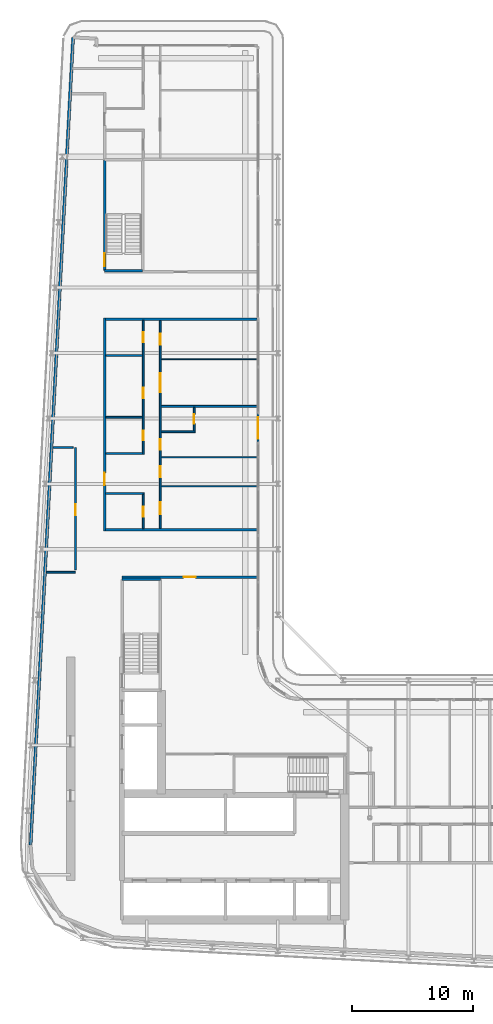
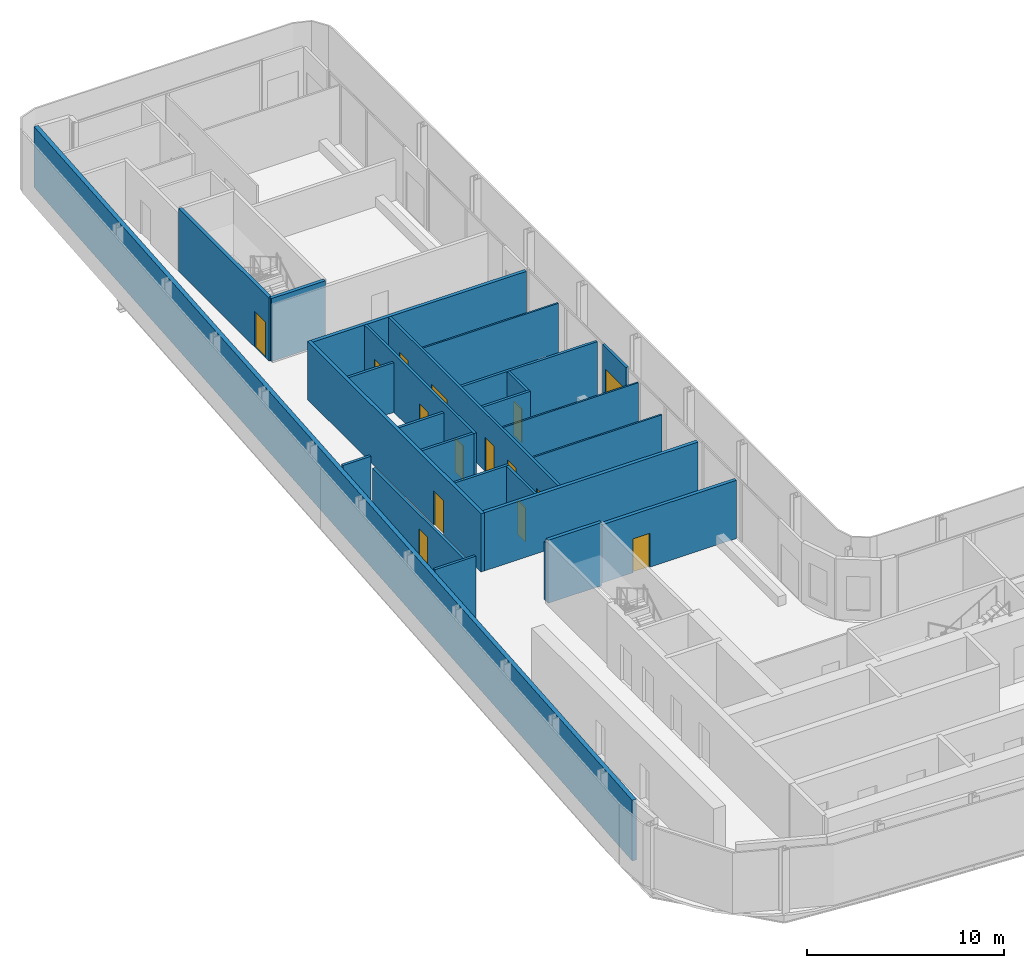
# One storey, part 13 of 22: 25 walls, 15 doors, 15 openings.
"""IFC4 building model written with IfcOpenShell, lengths in metres."""

from ifc_helpers import new_model, si_unit, direction, frame, frame_2d, origin, place, context, subcontext, project, spatial, rectangle, extrude, source, transform, mapped, material, layer, layer_set, type_object, element, fill, save


model = new_model("IFC4")

# Units and contexts
model_context = context("Model", 3, precision=1e-05, world=origin(), true_north=direction((0.0, 1.0)))
body_context = subcontext(model_context, "Body", "Model", "MODEL_VIEW")
ifc_project = project(units=[si_unit("LENGTHUNIT", "METRE"), si_unit("AREAUNIT", "SQUARE_METRE"), si_unit("VOLUMEUNIT", "CUBIC_METRE"), si_unit("PLANEANGLEUNIT", "RADIAN"), si_unit("MASSUNIT", "GRAM", prefix="KILO")], contexts=[model_context])

# Site, building, storey
site_placement = place(None, origin())
site = spatial("IfcSite", under=ifc_project, at=site_placement, CompositionType="ELEMENT")
building_placement = place(site_placement, origin())
building = spatial("IfcBuilding", under=site, at=building_placement, Name="Kheshtan School and Residences Tower", CompositionType="ELEMENT")
storey_placement = place(building_placement, frame((0.0, 0.0, 263.0)))
storey = spatial("IfcBuildingStorey", under=building, at=storey_placement, Name="L62", CompositionType="ELEMENT", Elevation=263.0)

# Wall, opening, door
ifc_material_1 = material(Name="Gypsum board on steel studs with fire boards", Category="steel")
ifc_layer_1 = layer(ifc_material_1, 0.199951171875)
ifc_layer_set_1 = layer_set([ifc_layer_1], Name="Corridor wall 200")
wall_type_1 = type_object("IfcWallType", Name="Corridor wall 200", PredefinedType="PARTITIONING", material=ifc_layer_set_1)
wall_1_placement = place(storey_placement, frame((33.300048828125, 57.89990234375, 0.0), z_axis=(0.0, 0.0, 1.0), x_axis=(0.0, 1.0, 0.0)))
wall_1 = element("IfcWall", 1, at=wall_1_placement, inside=storey, type_object=wall_type_1, Name="Partition L62-003", PredefinedType="PARTITIONING", context=body_context, shape_type="SweptSolid", body=[
    extrude(rectangle(XDim=17.60009765625, YDim=0.199951171875, at=frame_2d((8.800048828125, 0.0))), origin(), (0.0, 0.0, 1.0), 3.60009765625),
])
opening_1_placement = place(wall_1_placement, frame((3.800048828125, 0.0, 0.0)))
opening_1 = element("IfcOpeningElement", 2, at=opening_1_placement, cuts=wall_1, Name="Opening D61-029", PredefinedType="OPENING", context=body_context, shape_type="SweptSolid", body=[
    extrude(rectangle(XDim=1.0, YDim=2.10009765625, at=frame_2d((0.5, 1.050048828125))), frame((0.0, 0.10986328125, 0.0), z_axis=(0.0, -1.0, 0.0), x_axis=(1.0, 0.0, 0.0)), (0.0, 0.0, 1.0), 0.219970703125),
])
ifc_material_2 = material(Name="Steel-framed fire-resisting door leaf", Category="steel")
door_type_1 = type_object("IfcDoorType", Name="Fire door FD30S 1000 x 2100", OperationType="SINGLE_SWING_LEFT", PredefinedType="DOOR", material=ifc_material_2)
shared_shape_1 = source(origin(), body_context, "Body", "SweptSolid", [
    extrude(rectangle(XDim=1.0, YDim=2.10009765625, at=frame_2d((0.5, 1.050048828125))), frame((0.0, 0.02490234375, 0.0), z_axis=(0.0, -1.0, 0.0), x_axis=(1.0, 0.0, 0.0)), (0.0, 0.0, 1.0), 0.050048828125),
])
door_1_placement = place(opening_1_placement, origin())
door_1 = element("IfcDoor", 3, at=door_1_placement, inside=storey, type_object=door_type_1, Name="Door D61-029", OperationType="SINGLE_SWING_RIGHT", OverallHeight=2.10009765625, OverallWidth=1.0, PredefinedType="DOOR", context=body_context, shape_type="MappedRepresentation", body=[
    mapped(shared_shape_1, transform((0.0, 0.0, 0.0), x_axis=(1.0, 0.0, 0.0), y_axis=(0.0, 1.0, 0.0), z_axis=(0.0, 0.0, 1.0), scale=1.0)),
])
fill(opening_1, door_1)

# Walls
for number, where, z_axis, x_axis, name in (
    (4, (33.39990234375, 58.0, 0.0), (0.0, 0.0, 1.0), (1.0, 0.0, 0.0), "Partition L62-006"),
    (5, (33.39990234375, 75.39990234375, 0.0), (0.0, 0.0, 1.0), (1.0, 0.0, 0.0), "Partition L62-011"),
):
    element("IfcWall", number, at=place(storey_placement, frame(where, z_axis=z_axis, x_axis=x_axis)), inside=storey, type_object=wall_type_1, Name=name, PredefinedType="PARTITIONING", context=body_context, shape_type="SweptSolid", body=[
        extrude(rectangle(XDim=12.5, YDim=0.199951171875, at=frame_2d((6.25, 0.0))), origin(), (0.0, 0.0, 1.0), 3.60009765625),
    ])

# Wall, opening, door
wall_2_placement = place(storey_placement, frame((34.75, 54.10009765625, 0.0), z_axis=(0.0, 0.0, 1.0), x_axis=(1.0, 0.0, 0.0)))
wall_2 = element("IfcWall", 6, at=wall_2_placement, inside=storey, type_object=wall_type_1, Name="Partition L62-014", PredefinedType="PARTITIONING", context=body_context, shape_type="SweptSolid", body=[
    extrude(rectangle(XDim=11.14990234375, YDim=0.199951171875, at=frame_2d((5.574951171875, 0.0))), origin(), (0.0, 0.0, 1.0), 3.60009765625),
])
opening_2_placement = place(wall_2_placement, frame((5.074951171875, 0.0, 0.0)))
opening_2 = element("IfcOpeningElement", 7, at=opening_2_placement, cuts=wall_2, Name="Opening D61-043", PredefinedType="OPENING", context=body_context, shape_type="SweptSolid", body=[
    extrude(rectangle(XDim=1.0, YDim=2.10009765625, at=frame_2d((0.5, 1.050048828125))), frame((0.0, 0.10986328125, 0.0), z_axis=(0.0, -1.0, 0.0), x_axis=(1.0, 0.0, 0.0)), (0.0, 0.0, 1.0), 0.219970703125),
])
door_type_2 = type_object("IfcDoorType", Name="Fire door FD60 1000 x 2100", OperationType="SINGLE_SWING_LEFT", PredefinedType="DOOR", material=ifc_material_2)
shared_shape_2 = source(origin(), body_context, "Body", "SweptSolid", [
    extrude(rectangle(XDim=1.0, YDim=2.10009765625, at=frame_2d((0.5, 1.050048828125))), frame((0.0, 0.02490234375, 0.0), z_axis=(0.0, -1.0, 0.0), x_axis=(1.0, 0.0, 0.0)), (0.0, 0.0, 1.0), 0.050048828125),
])
door_2_placement = place(opening_2_placement, origin())
door_2 = element("IfcDoor", 8, at=door_2_placement, inside=storey, type_object=door_type_2, Name="Door D61-043", OperationType="SINGLE_SWING_RIGHT", OverallHeight=2.10009765625, OverallWidth=1.0, PredefinedType="DOOR", context=body_context, shape_type="MappedRepresentation", body=[
    mapped(shared_shape_2, transform((0.0, 0.0, 0.0), x_axis=(1.0, 0.0, 0.0), y_axis=(0.0, 1.0, 0.0), z_axis=(0.0, 0.0, 1.0), scale=1.0)),
])
fill(opening_2, door_2)

# Wall
ifc_material_3 = material(Name="Concrete C40/50 with ceramic cladding and mineral wool insulation", Category="concrete")
ifc_layer_2 = layer(ifc_material_3, 0.25)
ifc_layer_set_2 = layer_set([ifc_layer_2], Name="External wall 250 ceramic clad")
wall_type_2 = type_object("IfcWallType", Name="External wall 250 ceramic clad", PredefinedType="SOLIDWALL", material=ifc_layer_set_2)
wall_3_placement = place(storey_placement, frame((27.195068359375, 31.968994140625, 0.0), z_axis=(0.0, 0.0, 1.0), x_axis=(0.052554995867, 0.998618031286, 0.0)))
element("IfcWall", 9, at=wall_3_placement, inside=storey, type_object=wall_type_2, Name="External wall L62 4", PredefinedType="SOLIDWALL", context=body_context, shape_type="SweptSolid", body=[
    extrude(rectangle(XDim=66.787353515625, YDim=0.25, at=frame_2d((33.3935546875, 0.0))), origin(), (0.0, 0.0, 1.0), 3.75),
])

# Wall, opening, door
ifc_material_4 = material(Name="Aluminium frame wall with insulated infill", Category="aluminium")
ifc_layer_3 = layer(ifc_material_4, 0.14990234375)
ifc_layer_set_3 = layer_set([ifc_layer_3], Name="Glazing frame wall 150")
wall_type_3 = type_object("IfcWallType", Name="Glazing frame wall 150", PredefinedType="SOLIDWALL", material=ifc_layer_set_3)
wall_4_placement = place(storey_placement, frame((45.97509765625, 67.617919921875, 0.0), z_axis=(0.0, 0.0, 1.0), x_axis=(0.0, -1.0, 0.0)))
wall_4 = element("IfcWall", 10, at=wall_4_placement, inside=storey, type_object=wall_type_3, Name="Balcony door wall L62 8.4", PredefinedType="SOLIDWALL", context=body_context, shape_type="SweptSolid", body=[
    extrude(rectangle(XDim=2.39990234375, YDim=0.14990234375, at=frame_2d((1.199951171875, 0.0))), origin(), (0.0, 0.0, 1.0), 3.75),
])
opening_3_placement = place(wall_4_placement, frame((0.300048828125, 0.0, 0.0)))
opening_3 = element("IfcOpeningElement", 11, at=opening_3_placement, cuts=wall_4, Name="Opening BD", PredefinedType="OPENING", context=body_context, shape_type="SweptSolid", body=[
    extrude(rectangle(XDim=1.800048828125, YDim=2.39990234375, at=frame_2d((0.89990234375, 1.199951171875))), frame((0.0, 0.0849609375, 0.0), z_axis=(0.0, -1.0, 0.0), x_axis=(1.0, 0.0, 0.0)), (0.0, 0.0, 1.0), 0.169921875),
])
ifc_material_5 = material(Name="Clear low-e glass in thermally broken aluminium frame", Category="aluminium")
door_type_3 = type_object("IfcDoorType", Name="Balcony sliding door", OperationType="SLIDING_TO_LEFT", PredefinedType="DOOR", material=ifc_material_5)
shared_shape_3 = source(origin(), body_context, "Body", "SweptSolid", [
    extrude(rectangle(XDim=1.800048828125, YDim=2.39990234375, at=frame_2d((0.89990234375, 1.199951171875))), frame((0.0, 0.02490234375, 0.0), z_axis=(0.0, -1.0, 0.0), x_axis=(1.0, 0.0, 0.0)), (0.0, 0.0, 1.0), 0.050048828125),
])
door_3_placement = place(opening_3_placement, origin())
door_3 = element("IfcDoor", 12, at=door_3_placement, inside=storey, type_object=door_type_3, Name="Balcony door L62 8.4", OperationType="SLIDING_TO_LEFT", OverallHeight=2.39990234375, OverallWidth=1.800048828125, PredefinedType="DOOR", context=body_context, shape_type="MappedRepresentation", body=[
    mapped(shared_shape_3, transform((0.0, 0.0, 0.0), x_axis=(1.0, 0.0, 0.0), y_axis=(0.0, 1.0, 0.0), z_axis=(0.0, 0.0, 1.0), scale=1.0)),
])
fill(opening_3, door_3)

# Walls
ifc_material_6 = material(Name="Gypsum board on steel studs", Category="steel")
ifc_layer_4 = layer(ifc_material_6, 0.10009765625)
ifc_layer_set_4 = layer_set([ifc_layer_4], Name="Gypsum partition 100")
wall_type_4 = type_object("IfcWallType", Name="Gypsum partition 100", PredefinedType="PARTITIONING", material=ifc_layer_set_4)
wall_5_placement = place(storey_placement, frame((37.97509765625, 61.60009765625, 0.0), z_axis=(0.0, 0.0, 1.0), x_axis=(1.0, 0.0, 0.0)))
element("IfcWall", 13, at=wall_5_placement, inside=storey, type_object=wall_type_4, Name="Partition L62-023", PredefinedType="PARTITIONING", context=body_context, shape_type="SweptSolid", body=[
    extrude(rectangle(XDim=7.9248046875, YDim=0.10009765625, at=frame_2d((3.96240234375, 0.0))), origin(), (0.0, 0.0, 1.0), 3.072021484375),
])
for number, where, z_axis, x_axis, name in (
    (14, (37.97509765625, 64.0, 0.0), (0.0, 0.0, 1.0), (1.0, 0.0, 0.0), "Partition L62-024"),
    (15, (37.97509765625, 72.10009765625, 0.0), (0.0, 0.0, 1.0), (1.0, 0.0, 0.0), "Partition L62-027"),
):
    element("IfcWall", number, at=place(storey_placement, frame(where, z_axis=z_axis, x_axis=x_axis)), inside=storey, type_object=wall_type_4, Name=name, PredefinedType="PARTITIONING", context=body_context, shape_type="SweptSolid", body=[
        extrude(rectangle(XDim=7.9248046875, YDim=0.10009765625, at=frame_2d((3.96240234375, 0.0))), origin(), (0.0, 0.0, 1.0), 3.60009765625),
    ])
ifc_material_7 = material(Name="Fire-board shaft wall system")
ifc_layer_5 = layer(ifc_material_7, 0.14990234375)
ifc_layer_set_5 = layer_set([ifc_layer_5], Name="Service room wall 150")
wall_type_5 = type_object("IfcWallType", Name="Service room wall 150", PredefinedType="PARTITIONING", material=ifc_layer_set_5)
wall_6_placement = place(storey_placement, frame((28.508056640625, 54.5, 0.0), z_axis=(0.0, 0.0, 1.0), x_axis=(1.0, 0.0, 0.0)))
element("IfcWall", 16, at=wall_6_placement, inside=storey, type_object=wall_type_5, Name="Service room wall", PredefinedType="PARTITIONING", context=body_context, shape_type="SweptSolid", body=[
    extrude(rectangle(XDim=2.391845703125, YDim=0.14990234375, at=frame_2d((1.19580078125, 0.0))), origin(), (0.0, 0.0, 1.0), 3.89990234375),
])

# Wall, opening, door
wall_7_placement = place(storey_placement, frame((30.89990234375, 54.695068359375, 0.0), z_axis=(0.0, 0.0, 1.0), x_axis=(0.0, 1.0, 0.0)))
wall_7 = element("IfcWall", 17, at=wall_7_placement, inside=storey, type_object=wall_type_5, Name="Service room wall", PredefinedType="PARTITIONING", context=body_context, shape_type="SweptSolid", body=[
    extrude(rectangle(XDim=10.10498046875, YDim=0.14990234375, at=frame_2d((5.052490234375, 0.0))), origin(), (0.0, 0.0, 1.0), 3.072021484375),
])
opening_4_placement = place(wall_7_placement, frame((4.5048828125, 0.0, 0.0)))
opening_4 = element("IfcOpeningElement", 18, at=opening_4_placement, cuts=wall_7, Name="Opening SR90", PredefinedType="OPENING", context=body_context, shape_type="SweptSolid", body=[
    extrude(rectangle(XDim=0.89990234375, YDim=2.199951171875, at=frame_2d((0.449951171875, 1.10009765625))), frame((0.0, 0.0849609375, 0.0), z_axis=(0.0, -1.0, 0.0), x_axis=(1.0, 0.0, 0.0)), (0.0, 0.0, 1.0), 0.169921875),
])
ifc_material_8 = material(Name="Steel door leaf, galvanised", Category="steel")
door_type_4 = type_object("IfcDoorType", Name="Service room door 900 steel 90 min", OperationType="SINGLE_SWING_LEFT", PredefinedType="DOOR", material=ifc_material_8)
shared_shape_4 = source(origin(), body_context, "Body", "SweptSolid", [
    extrude(rectangle(XDim=0.89990234375, YDim=2.199951171875, at=frame_2d((0.449951171875, 1.10009765625))), frame((0.0, 0.02490234375, 0.0), z_axis=(0.0, -1.0, 0.0), x_axis=(1.0, 0.0, 0.0)), (0.0, 0.0, 1.0), 0.050048828125),
])
door_4_placement = place(opening_4_placement, origin())
door_4 = element("IfcDoor", 19, at=door_4_placement, inside=storey, type_object=door_type_4, Name="Service room door", OperationType="SINGLE_SWING_LEFT", OverallHeight=2.199951171875, OverallWidth=0.89990234375, PredefinedType="DOOR", context=body_context, shape_type="MappedRepresentation", body=[
    mapped(shared_shape_4, transform((0.0, 0.0, 0.0), x_axis=(1.0, 0.0, 0.0), y_axis=(0.0, 1.0, 0.0), z_axis=(0.0, 0.0, 1.0), scale=1.0)),
])
fill(opening_4, door_4)

# Walls
wall_8_placement = place(storey_placement, frame((29.050048828125, 64.800048828125, 0.0), z_axis=(0.0, 0.0, 1.0), x_axis=(1.0, 0.0, 0.0)))
element("IfcWall", 20, at=wall_8_placement, inside=storey, type_object=wall_type_5, Name="Service room wall", PredefinedType="PARTITIONING", context=body_context, shape_type="SweptSolid", body=[
    extrude(rectangle(XDim=1.655029296875, YDim=0.14990234375, at=frame_2d((0.82763671875, 0.0))), origin(), (0.0, 0.0, 1.0), 3.89990234375),
])
ifc_material_9 = material(Name="Concrete C40/50", Category="concrete")
ifc_layer_6 = layer(ifc_material_9, 0.199951171875)
ifc_layer_set_6 = layer_set([ifc_layer_6], Name="Stair enclosure wall 200 Concrete C40/50")
wall_type_6 = type_object("IfcWallType", Name="Stair enclosure wall 200 Concrete C40/50", PredefinedType="SHEAR", material=ifc_layer_set_6)
for number, where, z_axis, x_axis, name in (
    (21, (34.75, 53.909912109375, 0.0), (0.0, 0.0, 1.0), (1.0, 0.0, 0.0), "Stair enclosure wall ST2"),
    (22, (33.300048828125, 79.39990234375, 0.0), (0.0, 0.0, 1.0), (1.0, 0.0, 0.0), "Stair enclosure wall ST3"),
):
    element("IfcWall", number, at=place(storey_placement, frame(where, z_axis=z_axis, x_axis=x_axis)), inside=storey, type_object=wall_type_6, Name=name, PredefinedType="SHEAR", context=body_context, shape_type="SweptSolid", body=[
        extrude(rectangle(XDim=3.14990234375, YDim=0.199951171875, at=frame_2d((1.574951171875, 0.0))), origin(), (0.0, 0.0, 1.0), 3.89990234375),
    ])

# Wall, opening, door
wall_9_placement = place(storey_placement, frame((33.300048828125, 79.39990234375, 0.0), z_axis=(0.0, 0.0, 1.0), x_axis=(0.0, 1.0, 0.0)))
wall_9 = element("IfcWall", 23, at=wall_9_placement, inside=storey, type_object=wall_type_6, Name="Stair enclosure wall ST3", PredefinedType="SHEAR", context=body_context, shape_type="SweptSolid", body=[
    extrude(rectangle(XDim=9.16015625, YDim=0.199951171875, at=frame_2d((4.580078125, 0.0))), origin(), (0.0, 0.0, 1.0), 3.89990234375),
])
opening_5_placement = place(wall_9_placement, frame((0.35009765625, 0.0, 0.0)))
opening_5 = element("IfcOpeningElement", 24, at=opening_5_placement, cuts=wall_9, Name="Opening ST3D", PredefinedType="OPENING", context=body_context, shape_type="SweptSolid", body=[
    extrude(rectangle(XDim=1.10009765625, YDim=2.199951171875, at=frame_2d((0.550048828125, 1.10009765625))), frame((0.0, 0.10986328125, 0.0), z_axis=(0.0, -1.0, 0.0), x_axis=(1.0, 0.0, 0.0)), (0.0, 0.0, 1.0), 0.219970703125),
])
door_type_5 = type_object("IfcDoorType", Name="Stair door 1100 steel 90 min", OperationType="SINGLE_SWING_LEFT", PredefinedType="DOOR", material=ifc_material_8)
shared_shape_5 = source(origin(), body_context, "Body", "SweptSolid", [
    extrude(rectangle(XDim=1.10009765625, YDim=2.199951171875, at=frame_2d((0.550048828125, 1.10009765625))), frame((0.0, 0.02490234375, 0.0), z_axis=(0.0, -1.0, 0.0), x_axis=(1.0, 0.0, 0.0)), (0.0, 0.0, 1.0), 0.050048828125),
])
door_5_placement = place(opening_5_placement, origin())
door_5 = element("IfcDoor", 25, at=door_5_placement, inside=storey, type_object=door_type_5, Name="Stair ST3 door", OperationType="SINGLE_SWING_RIGHT", OverallHeight=2.199951171875, OverallWidth=1.10009765625, PredefinedType="DOOR", context=body_context, shape_type="MappedRepresentation", body=[
    mapped(shared_shape_5, transform((0.0, 0.0, 0.0), x_axis=(1.0, 0.0, 0.0), y_axis=(0.0, 1.0, 0.0), z_axis=(0.0, 0.0, 1.0), scale=1.0)),
])
fill(opening_5, door_5)

# Walls
ifc_material_10 = material(Name="Moisture-resistant gypsum board on steel studs", Category="steel")
ifc_layer_7 = layer(ifc_material_10, 0.14990234375)
ifc_layer_set_7 = layer_set([ifc_layer_7], Name="Wet-room partition 150")
wall_type_7 = type_object("IfcWallType", Name="Wet-room partition 150", PredefinedType="PARTITIONING", material=ifc_layer_set_7)
wall_10_placement = place(storey_placement, frame((33.39990234375, 61.0, 0.0), z_axis=(0.0, 0.0, 1.0), x_axis=(1.0, 0.0, 0.0)))
element("IfcWall", 26, at=wall_10_placement, inside=storey, type_object=wall_type_7, Name="Partition L62-007", PredefinedType="PARTITIONING", context=body_context, shape_type="SweptSolid", body=[
    extrude(rectangle(XDim=3.175048828125, YDim=0.14990234375, at=frame_2d((1.58740234375, 0.0))), origin(), (0.0, 0.0, 1.0), 3.60009765625),
])
wall_11_placement = place(storey_placement, frame((33.39990234375, 64.300048828125, 0.0), z_axis=(0.0, 0.0, 1.0), x_axis=(1.0, 0.0, 0.0)))
element("IfcWall", 27, at=wall_11_placement, inside=storey, type_object=wall_type_7, Name="Partition L62-008", PredefinedType="PARTITIONING", context=body_context, shape_type="SweptSolid", body=[
    extrude(rectangle(XDim=3.025146484375, YDim=0.14990234375, at=frame_2d((1.5126953125, 0.0))), origin(), (0.0, 0.0, 1.0), 3.60009765625),
])
for number, where, z_axis, x_axis, name in (
    (28, (33.39990234375, 67.300048828125, 0.0), (0.0, 0.0, 1.0), (1.0, 0.0, 0.0), "Partition L62-009"),
    (29, (33.39990234375, 72.39990234375, 0.0), (0.0, 0.0, 1.0), (1.0, 0.0, 0.0), "Partition L62-010"),
):
    element("IfcWall", number, at=place(storey_placement, frame(where, z_axis=z_axis, x_axis=x_axis)), inside=storey, type_object=wall_type_7, Name=name, PredefinedType="PARTITIONING", context=body_context, shape_type="SweptSolid", body=[
        extrude(rectangle(XDim=3.025146484375, YDim=0.14990234375, at=frame_2d((1.5126953125, 0.0))), origin(), (0.0, 0.0, 1.0), 3.072021484375),
    ])

# Wall, opening, door
wall_12_placement = place(storey_placement, frame((36.5, 58.10009765625, 0.0), z_axis=(0.0, 0.0, 1.0), x_axis=(0.0, 1.0, 0.0)))
wall_12 = element("IfcWall", 30, at=wall_12_placement, inside=storey, type_object=wall_type_7, Name="Partition L62-016", PredefinedType="PARTITIONING", context=body_context, shape_type="SweptSolid", body=[
    extrude(rectangle(XDim=2.824951171875, YDim=0.14990234375, at=frame_2d((1.41259765625, 0.0))), origin(), (0.0, 0.0, 1.0), 3.60009765625),
])
opening_6_placement = place(wall_12_placement, frame((1.0, 0.0, 0.0)))
opening_6 = element("IfcOpeningElement", 31, at=opening_6_placement, cuts=wall_12, Name="Opening D61-034", PredefinedType="OPENING", context=body_context, shape_type="SweptSolid", body=[
    extrude(rectangle(XDim=0.800048828125, YDim=2.10009765625, at=frame_2d((0.39990234375, 1.050048828125))), frame((0.0, 0.0849609375, 0.0), z_axis=(0.0, -1.0, 0.0), x_axis=(1.0, 0.0, 0.0)), (0.0, 0.0, 1.0), 0.169921875),
])
ifc_material_11 = material(Name="Veneered timber door leaf", Category="wood")
door_type_6 = type_object("IfcDoorType", Name="Door 800 x 2100", OperationType="SINGLE_SWING_LEFT", PredefinedType="DOOR", material=ifc_material_11)
shared_shape_6 = source(origin(), body_context, "Body", "SweptSolid", [
    extrude(rectangle(XDim=0.800048828125, YDim=2.10009765625, at=frame_2d((0.39990234375, 1.050048828125))), frame((0.0, 0.02490234375, 0.0), z_axis=(0.0, -1.0, 0.0), x_axis=(1.0, 0.0, 0.0)), (0.0, 0.0, 1.0), 0.050048828125),
])
door_6_placement = place(opening_6_placement, origin())
door_6 = element("IfcDoor", 32, at=door_6_placement, inside=storey, type_object=door_type_6, Name="Door D61-034", OperationType="SINGLE_SWING_RIGHT", OverallHeight=2.10009765625, OverallWidth=0.800048828125, PredefinedType="DOOR", context=body_context, shape_type="MappedRepresentation", body=[
    mapped(shared_shape_6, transform((0.0, 0.0, 0.0), x_axis=(1.0, 0.0, 0.0), y_axis=(0.0, 1.0, 0.0), z_axis=(0.0, 0.0, 1.0), scale=1.0)),
])
fill(opening_6, door_6)

# Wall, openings, doors
wall_13_placement = place(storey_placement, frame((36.5, 64.22509765625, 0.0), z_axis=(0.0, 0.0, 1.0), x_axis=(0.0, 1.0, 0.0)))
wall_13 = element("IfcWall", 33, at=wall_13_placement, inside=storey, type_object=wall_type_7, Name="Partition L62-017", PredefinedType="PARTITIONING", context=body_context, shape_type="SweptSolid", body=[
    extrude(rectangle(XDim=11.074951171875, YDim=0.14990234375, at=frame_2d((5.53759765625, 0.0))), origin(), (0.0, 0.0, 1.0), 3.60009765625),
])
opening_7_placement = place(wall_13_placement, frame((1.175048828125, 0.0, 0.0)))
opening_7 = element("IfcOpeningElement", 34, at=opening_7_placement, cuts=wall_13, Name="Opening D61-024", PredefinedType="OPENING", context=body_context, shape_type="SweptSolid", body=[
    extrude(rectangle(XDim=0.800048828125, YDim=2.10009765625, at=frame_2d((0.39990234375, 1.050048828125))), frame((0.0, 0.0849609375, 0.0), z_axis=(0.0, -1.0, 0.0), x_axis=(1.0, 0.0, 0.0)), (0.0, 0.0, 1.0), 0.169921875),
])
opening_8_placement = place(wall_13_placement, frame((9.27490234375, 0.0, 0.0)))
opening_8 = element("IfcOpeningElement", 35, at=opening_8_placement, cuts=wall_13, Name="Opening D61-025", PredefinedType="OPENING", context=body_context, shape_type="SweptSolid", body=[
    extrude(rectangle(XDim=0.800048828125, YDim=2.10009765625, at=frame_2d((0.39990234375, 1.050048828125))), frame((0.0, 0.0849609375, 0.0), z_axis=(0.0, -1.0, 0.0), x_axis=(1.0, 0.0, 0.0)), (0.0, 0.0, 1.0), 0.169921875),
])
opening_9_placement = place(wall_13_placement, frame((4.625, 0.0, 0.0)))
opening_9 = element("IfcOpeningElement", 36, at=opening_9_placement, cuts=wall_13, Name="Opening D61-030", PredefinedType="OPENING", context=body_context, shape_type="SweptSolid", body=[
    extrude(rectangle(XDim=0.89990234375, YDim=2.10009765625, at=frame_2d((0.449951171875, 1.050048828125))), frame((0.0, 0.0849609375, 0.0), z_axis=(0.0, -1.0, 0.0), x_axis=(1.0, 0.0, 0.0)), (0.0, 0.0, 1.0), 0.169921875),
])
door_7_placement = place(opening_7_placement, origin())
door_7 = element("IfcDoor", 37, at=door_7_placement, inside=storey, type_object=door_type_6, Name="Door D61-024", OperationType="SINGLE_SWING_RIGHT", OverallHeight=2.10009765625, OverallWidth=0.800048828125, PredefinedType="DOOR", context=body_context, shape_type="MappedRepresentation", body=[
    mapped(shared_shape_6, transform((0.0, 0.0, 0.0), x_axis=(1.0, 0.0, 0.0), y_axis=(0.0, 1.0, 0.0), z_axis=(0.0, 0.0, 1.0), scale=1.0)),
])
fill(opening_7, door_7)
door_8_placement = place(opening_8_placement, origin())
door_8 = element("IfcDoor", 38, at=door_8_placement, inside=storey, type_object=door_type_6, Name="Door D61-025", OperationType="SINGLE_SWING_LEFT", OverallHeight=2.10009765625, OverallWidth=0.800048828125, PredefinedType="DOOR", context=body_context, shape_type="MappedRepresentation", body=[
    mapped(shared_shape_6, transform((0.0, 0.0, 0.0), x_axis=(1.0, 0.0, 0.0), y_axis=(0.0, 1.0, 0.0), z_axis=(0.0, 0.0, 1.0), scale=1.0)),
])
fill(opening_8, door_8)
door_type_7 = type_object("IfcDoorType", Name="Door 900 x 2100", OperationType="SINGLE_SWING_LEFT", PredefinedType="DOOR", material=ifc_material_11)
shared_shape_7 = source(origin(), body_context, "Body", "SweptSolid", [
    extrude(rectangle(XDim=0.89990234375, YDim=2.10009765625, at=frame_2d((0.449951171875, 1.050048828125))), frame((0.0, 0.02490234375, 0.0), z_axis=(0.0, -1.0, 0.0), x_axis=(1.0, 0.0, 0.0)), (0.0, 0.0, 1.0), 0.050048828125),
])
door_9_placement = place(opening_9_placement, origin())
door_9 = element("IfcDoor", 39, at=door_9_placement, inside=storey, type_object=door_type_7, Name="Door D61-030", OperationType="SINGLE_SWING_RIGHT", OverallHeight=2.10009765625, OverallWidth=0.89990234375, PredefinedType="DOOR", context=body_context, shape_type="MappedRepresentation", body=[
    mapped(shared_shape_7, transform((0.0, 0.0, 0.0), x_axis=(1.0, 0.0, 0.0), y_axis=(0.0, 1.0, 0.0), z_axis=(0.0, 0.0, 1.0), scale=1.0)),
])
fill(opening_9, door_9)

wall_14_placement = place(storey_placement, frame((37.89990234375, 58.10009765625, 0.0), z_axis=(0.0, 0.0, 1.0), x_axis=(0.0, 1.0, 0.0)))
wall_14 = element("IfcWall", 40, at=wall_14_placement, inside=storey, type_object=wall_type_7, Name="Partition L62-020", PredefinedType="PARTITIONING", context=body_context, shape_type="SweptSolid", body=[
    extrude(rectangle(XDim=17.199951171875, YDim=0.14990234375, at=frame_2d((8.60009765625, 0.0))), origin(), (0.0, 0.0, 1.0), 3.60009765625),
])
opening_10_placement = place(wall_14_placement, frame((4.25, 0.0, 0.0)))
opening_10 = element("IfcOpeningElement", 41, at=opening_10_placement, cuts=wall_14, Name="Opening D61-026", PredefinedType="OPENING", context=body_context, shape_type="SweptSolid", body=[
    extrude(rectangle(XDim=0.89990234375, YDim=2.10009765625, at=frame_2d((0.449951171875, 1.050048828125))), frame((0.0, 0.0849609375, 0.0), z_axis=(0.0, -1.0, 0.0), x_axis=(1.0, 0.0, 0.0)), (0.0, 0.0, 1.0), 0.169921875),
])
opening_11_placement = place(wall_14_placement, frame((15.199951171875, 0.0, 0.0)))
opening_11 = element("IfcOpeningElement", 42, at=opening_11_placement, cuts=wall_14, Name="Opening D61-027", PredefinedType="OPENING", context=body_context, shape_type="SweptSolid", body=[
    extrude(rectangle(XDim=0.89990234375, YDim=2.10009765625, at=frame_2d((0.449951171875, 1.050048828125))), frame((0.0, 0.0849609375, 0.0), z_axis=(0.0, -1.0, 0.0), x_axis=(1.0, 0.0, 0.0)), (0.0, 0.0, 1.0), 0.169921875),
])
opening_12_placement = place(wall_14_placement, frame((1.199951171875, 0.0, 0.0)))
opening_12 = element("IfcOpeningElement", 43, at=opening_12_placement, cuts=wall_14, Name="Opening D61-031", PredefinedType="OPENING", context=body_context, shape_type="SweptSolid", body=[
    extrude(rectangle(XDim=1.0, YDim=2.10009765625, at=frame_2d((0.5, 1.050048828125))), frame((0.0, 0.0849609375, 0.0), z_axis=(0.0, -1.0, 0.0), x_axis=(1.0, 0.0, 0.0)), (0.0, 0.0, 1.0), 0.169921875),
])
opening_13_placement = place(wall_14_placement, frame((11.25, 0.0, 0.0)))
opening_13 = element("IfcOpeningElement", 44, at=opening_13_placement, cuts=wall_14, Name="Opening D61-032", PredefinedType="OPENING", context=body_context, shape_type="SweptSolid", body=[
    extrude(rectangle(XDim=1.60009765625, YDim=2.10009765625, at=frame_2d((0.800048828125, 1.050048828125))), frame((0.0, 0.0849609375, 0.0), z_axis=(0.0, -1.0, 0.0), x_axis=(1.0, 0.0, 0.0)), (0.0, 0.0, 1.0), 0.169921875),
])
opening_14_placement = place(wall_14_placement, frame((6.5, 0.0, 0.0)))
opening_14 = element("IfcOpeningElement", 45, at=opening_14_placement, cuts=wall_14, Name="Opening D61-033", PredefinedType="OPENING", context=body_context, shape_type="SweptSolid", body=[
    extrude(rectangle(XDim=0.89990234375, YDim=2.10009765625, at=frame_2d((0.449951171875, 1.050048828125))), frame((0.0, 0.0849609375, 0.0), z_axis=(0.0, -1.0, 0.0), x_axis=(1.0, 0.0, 0.0)), (0.0, 0.0, 1.0), 0.169921875),
])
door_type_8 = type_object("IfcDoorType", Name="Door 1000 x 2100", OperationType="SINGLE_SWING_LEFT", PredefinedType="DOOR", material=ifc_material_11)
shared_shape_8 = source(origin(), body_context, "Body", "SweptSolid", [
    extrude(rectangle(XDim=1.0, YDim=2.10009765625, at=frame_2d((0.5, 1.050048828125))), frame((0.0, 0.02490234375, 0.0), z_axis=(0.0, -1.0, 0.0), x_axis=(1.0, 0.0, 0.0)), (0.0, 0.0, 1.0), 0.050048828125),
])
door_10_placement = place(opening_12_placement, origin())
door_10 = element("IfcDoor", 46, at=door_10_placement, inside=storey, type_object=door_type_8, Name="Door D61-031", OperationType="SINGLE_SWING_LEFT", OverallHeight=2.10009765625, OverallWidth=1.0, PredefinedType="DOOR", context=body_context, shape_type="MappedRepresentation", body=[
    mapped(shared_shape_8, transform((0.0, 0.0, 0.0), x_axis=(1.0, 0.0, 0.0), y_axis=(0.0, 1.0, 0.0), z_axis=(0.0, 0.0, 1.0), scale=1.0)),
])
fill(opening_12, door_10)
door_11_placement = place(opening_10_placement, origin())
door_11 = element("IfcDoor", 47, at=door_11_placement, inside=storey, type_object=door_type_7, Name="Door D61-026", OperationType="SINGLE_SWING_LEFT", OverallHeight=2.10009765625, OverallWidth=0.89990234375, PredefinedType="DOOR", context=body_context, shape_type="MappedRepresentation", body=[
    mapped(shared_shape_7, transform((0.0, 0.0, 0.0), x_axis=(1.0, 0.0, 0.0), y_axis=(0.0, 1.0, 0.0), z_axis=(0.0, 0.0, 1.0), scale=1.0)),
])
fill(opening_10, door_11)
door_12_placement = place(opening_11_placement, origin())
door_12 = element("IfcDoor", 48, at=door_12_placement, inside=storey, type_object=door_type_7, Name="Door D61-027", OperationType="SINGLE_SWING_LEFT", OverallHeight=2.10009765625, OverallWidth=0.89990234375, PredefinedType="DOOR", context=body_context, shape_type="MappedRepresentation", body=[
    mapped(shared_shape_7, transform((0.0, 0.0, 0.0), x_axis=(1.0, 0.0, 0.0), y_axis=(0.0, 1.0, 0.0), z_axis=(0.0, 0.0, 1.0), scale=1.0)),
])
fill(opening_11, door_12)
door_13_placement = place(opening_14_placement, origin())
door_13 = element("IfcDoor", 49, at=door_13_placement, inside=storey, type_object=door_type_7, Name="Door D61-033", OperationType="SINGLE_SWING_RIGHT", OverallHeight=2.10009765625, OverallWidth=0.89990234375, PredefinedType="DOOR", context=body_context, shape_type="MappedRepresentation", body=[
    mapped(shared_shape_7, transform((0.0, 0.0, 0.0), x_axis=(1.0, 0.0, 0.0), y_axis=(0.0, 1.0, 0.0), z_axis=(0.0, 0.0, 1.0), scale=1.0)),
])
fill(opening_14, door_13)
door_type_9 = type_object("IfcDoorType", Name="Double door 1600 x 2100", OperationType="DOUBLE_DOOR_SINGLE_SWING", PredefinedType="DOOR", material=ifc_material_11)
shared_shape_9 = source(origin(), body_context, "Body", "SweptSolid", [
    extrude(rectangle(XDim=1.60009765625, YDim=2.10009765625, at=frame_2d((0.800048828125, 1.050048828125))), frame((0.0, 0.02490234375, 0.0), z_axis=(0.0, -1.0, 0.0), x_axis=(1.0, 0.0, 0.0)), (0.0, 0.0, 1.0), 0.050048828125),
])
door_14_placement = place(opening_13_placement, origin())
door_14 = element("IfcDoor", 50, at=door_14_placement, inside=storey, type_object=door_type_9, Name="Door D61-032", OperationType="DOUBLE_DOOR_SINGLE_SWING", OverallHeight=2.10009765625, OverallWidth=1.60009765625, PredefinedType="DOOR", context=body_context, shape_type="MappedRepresentation", body=[
    mapped(shared_shape_9, transform((0.0, 0.0, 0.0), x_axis=(1.0, 0.0, 0.0), y_axis=(0.0, 1.0, 0.0), z_axis=(0.0, 0.0, 1.0), scale=1.0)),
])
fill(opening_13, door_14)

# Walls
wall_15_placement = place(storey_placement, frame((37.97509765625, 66.10009765625, 0.0), z_axis=(0.0, 0.0, 1.0), x_axis=(1.0, 0.0, 0.0)))
element("IfcWall", 51, at=wall_15_placement, inside=storey, type_object=wall_type_7, Name="Partition L62-025", PredefinedType="PARTITIONING", context=body_context, shape_type="SweptSolid", body=[
    extrude(rectangle(XDim=2.7998046875, YDim=0.14990234375, at=frame_2d((1.39990234375, 0.0))), origin(), (0.0, 0.0, 1.0), 3.60009765625),
])
wall_16_placement = place(storey_placement, frame((37.97509765625, 68.199951171875, 0.0), z_axis=(0.0, 0.0, 1.0), x_axis=(1.0, 0.0, 0.0)))
element("IfcWall", 52, at=wall_16_placement, inside=storey, type_object=wall_type_7, Name="Partition L62-026", PredefinedType="PARTITIONING", context=body_context, shape_type="SweptSolid", body=[
    extrude(rectangle(XDim=7.9248046875, YDim=0.14990234375, at=frame_2d((3.96240234375, 0.0))), origin(), (0.0, 0.0, 1.0), 3.60009765625),
])

# Wall, opening, door
wall_17_placement = place(storey_placement, frame((40.699951171875, 66.175048828125, 0.0), z_axis=(0.0, 0.0, 1.0), x_axis=(0.0, 1.0, 0.0)))
wall_17 = element("IfcWall", 53, at=wall_17_placement, inside=storey, type_object=wall_type_7, Name="Partition L62-029", PredefinedType="PARTITIONING", context=body_context, shape_type="SweptSolid", body=[
    extrude(rectangle(XDim=1.949951171875, YDim=0.14990234375, at=frame_2d((0.97509765625, 0.0))), origin(), (0.0, 0.0, 1.0), 3.60009765625),
])
opening_15_placement = place(wall_17_placement, frame((0.574951171875, 0.0, 0.0)))
opening_15 = element("IfcOpeningElement", 54, at=opening_15_placement, cuts=wall_17, Name="Opening D61-028", PredefinedType="OPENING", context=body_context, shape_type="SweptSolid", body=[
    extrude(rectangle(XDim=0.800048828125, YDim=2.10009765625, at=frame_2d((0.39990234375, 1.050048828125))), frame((0.0, 0.0849609375, 0.0), z_axis=(0.0, -1.0, 0.0), x_axis=(1.0, 0.0, 0.0)), (0.0, 0.0, 1.0), 0.169921875),
])
door_15_placement = place(opening_15_placement, origin())
door_15 = element("IfcDoor", 55, at=door_15_placement, inside=storey, type_object=door_type_6, Name="Door D61-028", OperationType="SINGLE_SWING_RIGHT", OverallHeight=2.10009765625, OverallWidth=0.800048828125, PredefinedType="DOOR", context=body_context, shape_type="MappedRepresentation", body=[
    mapped(shared_shape_6, transform((0.0, 0.0, 0.0), x_axis=(1.0, 0.0, 0.0), y_axis=(0.0, 1.0, 0.0), z_axis=(0.0, 0.0, 1.0), scale=1.0)),
])
fill(opening_15, door_15)

save(model, "model.ifc")
